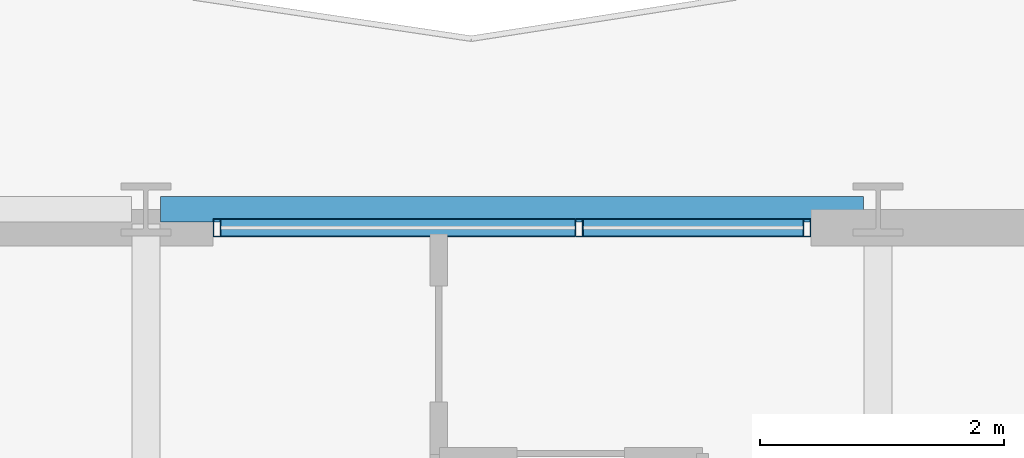
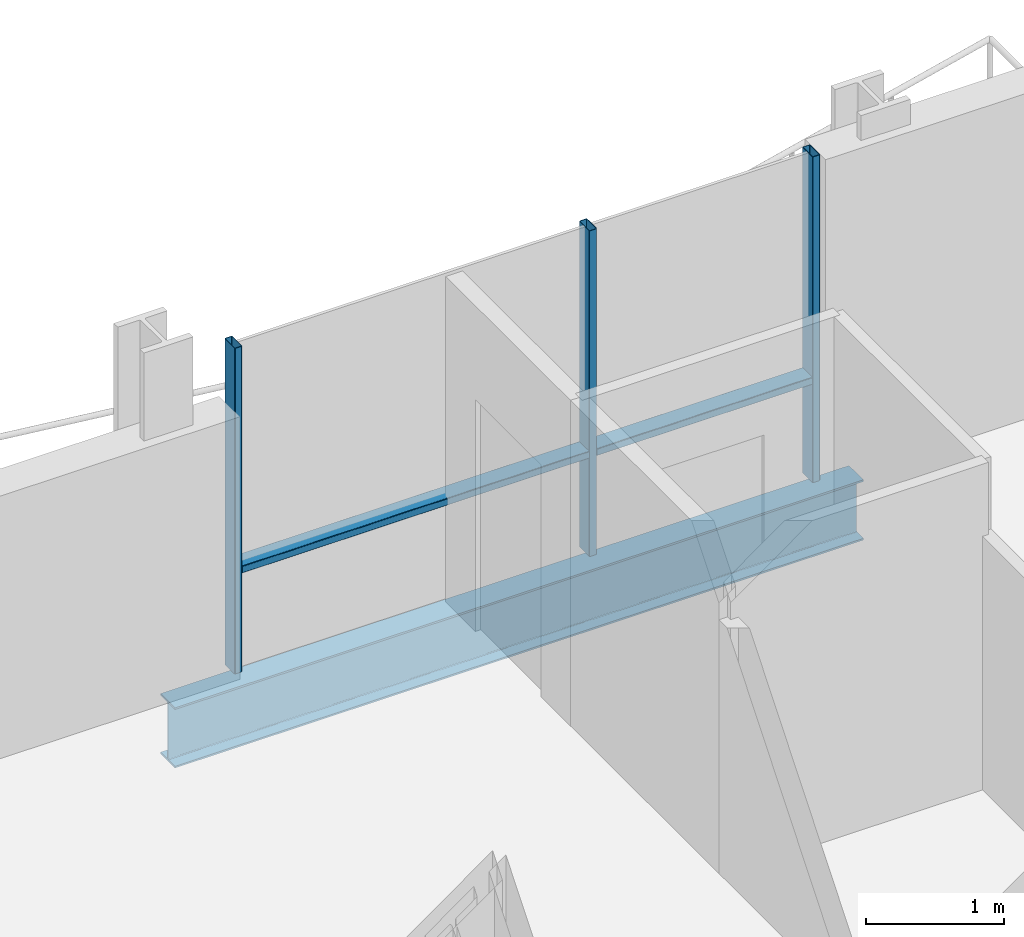
# One storey, part 24 of 40: 5 members, 1 beam, 1 element without a shape of its own.
"""IFC4 building model written with IfcOpenShell, lengths in metres."""

import ifcopenshell
import ifcopenshell.guid

model = None  # the IFC model being written
_history = None  # IfcOwnerHistory: only IFC2X3 demands one
_inside = {}  # id of a spatial element -> (the spatial element, [elements in it])
_under = {}  # id of a project, library or spatial element -> (it, [spatial elements below it])
_declared = {}  # id of a project -> (the project, [libraries it declares])
_typed = {}  # id of a type object -> (the type object, [elements of that type])
_made_of = {}  # id of a material, layer set ... -> (it, [elements and type objects made of it])


def new_model(schema):
    """Start an empty IFC model of exactly this schema.

    Asked for "IFC4X3", IfcOpenShell would pick the latest addendum, in which some entities
    have other attributes; the version numbers below select the first issue.
    IFC2X3 requires an IfcOwnerHistory on every rooted entity: one is made here for all.
    """
    global model, _history
    if schema == "IFC4X3":
        model = ifcopenshell.file(schema_version=(4, 3, 0, 0))
    else:
        model = ifcopenshell.file(schema=schema)
    _inside.clear()
    _under.clear()
    _declared.clear()
    _typed.clear()
    _made_of.clear()
    _history = None
    if model.schema == "IFC2X3":
        org = make("IfcOrganization", Name="unknown")
        user = make(
            "IfcPersonAndOrganization",
            ThePerson=make("IfcPerson", FamilyName="unknown"),
            TheOrganization=org,
        )
        app = make(
            "IfcApplication",
            ApplicationDeveloper=org,
            Version="unknown",
            ApplicationFullName="unknown",
            ApplicationIdentifier="unknown",
        )
        _history = make(
            "IfcOwnerHistory",
            OwningUser=user,
            OwningApplication=app,
            ChangeAction="ADDED",
            CreationDate=0,
        )
    return model


def make(cls, **values):
    """One entity of the class cls with the attributes given. An attribute that is None is left unset."""
    return model.create_entity(
        cls, **{name: value for name, value in values.items() if value is not None}
    )


def rooted(cls, **values):
    """An entity with a GlobalId (a new one), such as an element, a storey or a relation."""
    return make(cls, GlobalId=ifcopenshell.guid.new(), OwnerHistory=_history, **values)


def si_unit(unit_type, name, prefix=None):
    """IfcSIUnit, for example si_unit("LENGTHUNIT", "METRE", prefix="MILLI")."""
    return make("IfcSIUnit", UnitType=unit_type, Prefix=prefix, Name=name)


def assignment(units):
    """IfcUnitAssignment: the units of a project."""
    return None if units is None else make("IfcUnitAssignment", Units=units)


def point(xyz):
    """IfcCartesianPoint."""
    return None if xyz is None else make("IfcCartesianPoint", Coordinates=xyz)


def direction(xyz):
    """IfcDirection."""
    return None if xyz is None else make("IfcDirection", DirectionRatios=xyz)


def frame(location, z_axis=None, x_axis=None):
    """IfcAxis2Placement3D, a coordinate frame: its origin and axes. An axis left out is left unset."""
    return make(
        "IfcAxis2Placement3D",
        Location=point(location),
        Axis=direction(z_axis),
        RefDirection=direction(x_axis),
    )


def frame_2d(location, x_axis=None):
    """IfcAxis2Placement2D, a coordinate frame in the plane: its origin and x axis."""
    return make(
        "IfcAxis2Placement2D", Location=point(location), RefDirection=direction(x_axis)
    )


def origin():
    """The frame at (0, 0, 0) with its axes left unset."""
    return frame((0.0, 0.0, 0.0))


def origin_2d():
    """The frame at (0, 0) in the plane with its x axis left unset."""
    return frame_2d((0.0, 0.0))


def place(relative_to, where):
    """IfcLocalPlacement: puts the frame where relative to a parent placement (None: the world)."""
    return make(
        "IfcLocalPlacement", PlacementRelTo=relative_to, RelativePlacement=where
    )


def context(
    kind, dimensions, precision=None, world=None, true_north=None, identifier=None
):
    """IfcGeometricRepresentationContext, for example the 3D "Model" context."""
    return make(
        "IfcGeometricRepresentationContext",
        ContextIdentifier=identifier,
        ContextType=kind,
        CoordinateSpaceDimension=dimensions,
        Precision=precision,
        WorldCoordinateSystem=world,
        TrueNorth=true_north,
    )


def subcontext(parent, identifier, kind, view, scale=None):
    """IfcGeometricRepresentationSubContext, for example "Body" below "Model"."""
    return make(
        "IfcGeometricRepresentationSubContext",
        ContextIdentifier=identifier,
        ContextType=kind,
        ParentContext=parent,
        TargetScale=scale,
        TargetView=view,
    )


def project(units=None, contexts=None):
    """IfcProject with its units and contexts."""
    return rooted(
        "IfcProject",
        Name="project",
        RepresentationContexts=contexts,
        UnitsInContext=assignment(units),
    )


def spatial(cls, under=None, at=None, **own):
    """A site, building, storey or space (cls), placed at a placement, below another one or the project."""
    s = rooted(cls, ObjectPlacement=at, **own)
    if under is not None:
        _under.setdefault(under.id(), (under, []))[1].append(s)
    return s


def profile(cls, at=None, kind="AREA", **sizes):
    """A parametric profile (cls). Its sizes go by their IFC names, for example OverallWidth=200.0."""
    return make(cls, ProfileType=kind, Position=at, **sizes)


def hollow_rectangle(**sizes):
    """IfcRectangleHollowProfileDef."""
    return profile("IfcRectangleHollowProfileDef", **sizes)


def i_section(**sizes):
    """IfcIShapeProfileDef."""
    return profile("IfcIShapeProfileDef", **sizes)


def extrude(swept, where, along, depth):
    """IfcExtrudedAreaSolid: the profile swept, set in the frame where, extruded along a direction by depth."""
    return make(
        "IfcExtrudedAreaSolid",
        SweptArea=swept,
        Position=where,
        ExtrudedDirection=direction(along),
        Depth=depth,
    )


def shape(context_of_items, identifier, shape_type, items):
    """IfcShapeRepresentation: the items that make up one representation, for example the "Body"."""
    return make(
        "IfcShapeRepresentation",
        ContextOfItems=context_of_items,
        RepresentationIdentifier=identifier,
        RepresentationType=shape_type,
        Items=items,
    )


def material(Name=None, Category=None):
    """IfcMaterial."""
    return make("IfcMaterial", Name=Name, Category=Category)


def layer(
    of_material, thickness, ventilated=None, Name=None, Category=None, Priority=None
):
    """IfcMaterialLayer: one layer of a wall or slab, of a material (None: an air gap)."""
    return make(
        "IfcMaterialLayer",
        Material=of_material,
        LayerThickness=thickness,
        IsVentilated=ventilated,
        Name=Name,
        Category=Category,
        Priority=Priority,
    )


def layer_set(layers, Name=None):
    """IfcMaterialLayerSet."""
    return make("IfcMaterialLayerSet", MaterialLayers=layers, LayerSetName=Name)


def material_profile(
    of_material, cross_section, Name=None, Category=None, Priority=None
):
    """IfcMaterialProfile: a cross section and its material."""
    return make(
        "IfcMaterialProfile",
        Name=Name,
        Material=of_material,
        Profile=cross_section,
        Priority=Priority,
        Category=Category,
    )


def profile_set(profiles, Name=None, composite=None):
    """IfcMaterialProfileSet."""
    return make(
        "IfcMaterialProfileSet",
        Name=Name,
        MaterialProfiles=profiles,
        CompositeProfile=composite,
    )


def made_of(thing, what):
    """Note that an element or type object is made of a material, layer set ...; save() writes the relation."""
    if what is not None:
        _made_of.setdefault(what.id(), (what, []))[1].append(thing)
    return thing


def type_object(cls, material=None, **own):
    """A type object (cls), such as IfcWallType, which elements share."""
    return made_of(rooted(cls, **own), material)


def element(
    cls,
    number,
    at=None,
    inside=None,
    cuts=None,
    type_object=None,
    material=None,
    context=None,
    identifier="Body",
    shape_type=None,
    held_by="IfcProductDefinitionShape",
    body=None,
    shapes=None,
    **own,
):
    """One element of the class cls, such as IfcWall. Its Tag is "e" and its number.

    at: its placement. inside: the storey or other place that contains it. cuts: it is an
    opening in that element (IfcRelVoidsElement). A single representation is given by context,
    identifier, shape_type and body (its items); several are given by shapes. held_by: the class
    of the entity that holds the representations. save() writes the other relations.
    """
    e = rooted(cls, Tag="e%d" % number, ObjectPlacement=at, **own)
    if body is not None:
        shapes = [shape(context, identifier, shape_type, body)]
    if shapes is not None:
        e.Representation = make(held_by, Representations=shapes)
    if inside is not None:
        _inside.setdefault(inside.id(), (inside, []))[1].append(e)
    if cuts is not None:
        rooted(
            "IfcRelVoidsElement", RelatingBuildingElement=cuts, RelatedOpeningElement=e
        )
    if type_object is not None:
        _typed.setdefault(type_object.id(), (type_object, []))[1].append(e)
    return made_of(e, material)


def aggregate(whole, parts):
    """IfcRelAggregates: a whole, such as a stair, and the parts it consists of."""
    return rooted("IfcRelAggregates", RelatingObject=whole, RelatedObjects=parts)


def save(model, path):
    """Write the relations noted so far, then the file.

    IfcRelAggregates (storeys below a building ...), IfcRelContainedInSpatialStructure (elements
    in a storey), IfcRelDefinesByType, IfcRelAssociatesMaterial and IfcRelDeclares: one each for
    every whole, place, type object, material and project.
    """
    for whole, parts in _under.values():
        aggregate(whole, parts)
    for where, things in _inside.values():
        rooted(
            "IfcRelContainedInSpatialStructure",
            RelatedElements=things,
            RelatingStructure=where,
        )
    for kind, things in _typed.values():
        rooted("IfcRelDefinesByType", RelatedObjects=things, RelatingType=kind)
    for what, things in _made_of.values():
        rooted("IfcRelAssociatesMaterial", RelatedObjects=things, RelatingMaterial=what)
    for by, libraries in _declared.values():
        rooted("IfcRelDeclares", RelatingContext=by, RelatedDefinitions=libraries)
    model.write(path)


model = new_model("IFC4")

# Units and contexts
model_context = context("Model", 3, precision=1e-05, world=origin(), true_north=direction((0.0, 1.0)))
body_context = subcontext(model_context, "Body", "Model", "MODEL_VIEW")
ifc_project = project(units=[si_unit("LENGTHUNIT", "METRE"), si_unit("AREAUNIT", "SQUARE_METRE"), si_unit("VOLUMEUNIT", "CUBIC_METRE"), si_unit("PLANEANGLEUNIT", "RADIAN"), si_unit("MASSUNIT", "GRAM", prefix="KILO")], contexts=[model_context])

# Site, building, storey
site_placement = place(None, origin())
site = spatial("IfcSite", under=ifc_project, at=site_placement, CompositionType="ELEMENT")
building_placement = place(site_placement, origin())
building = spatial("IfcBuilding", under=site, at=building_placement, Name="Brevholm Reach", CompositionType="ELEMENT")
storey_placement = place(building_placement, frame((0.0, 0.0, 119.0)))
storey = spatial("IfcBuildingStorey", under=building, at=storey_placement, Name="L35", CompositionType="ELEMENT", Elevation=119.0)

# Beam
ifc_material_1 = material(Name="Structural Steel S355J2", Category="steel")
ifc_material_profile_1 = material_profile(ifc_material_1, i_section(OverallWidth=0.209228515625, OverallDepth=0.533203125, WebThickness=0.010009765625, FlangeThickness=0.015625, FilletRadius=0.0126953125, at=origin_2d()), Name="UKB 533x210x92")
ifc_profile_set_1 = profile_set([ifc_material_profile_1], Name="Structural Steel S355J2")
beam_type = type_object("IfcBeamType", Name="BM-SP533", PredefinedType="SPANDREL", material=ifc_profile_set_1)
beam_placement = place(storey_placement, frame((48.1201171875, 31.0, -0.486572265625), z_axis=(1.0, 0.0, 0.0), x_axis=(0.0, 1.0, 0.0)))
element("IfcBeam", 1, at=beam_placement, inside=storey, type_object=beam_type, Name="L35 SP-02 Framing Beam", PredefinedType="SPANDREL", context=body_context, shape_type="SweptSolid", body=[
    extrude(i_section(OverallWidth=0.209228515625, OverallDepth=0.533203125, WebThickness=0.010009765625, FlangeThickness=0.015625, FilletRadius=0.0126953125, at=origin_2d()), origin(), (0.0, 0.0, 1.0), 5.759765625),
])

# Curtain wall, members
ifc_material_2 = material(Name="Dark Anodised Aluminium 6063-T6 and Solar-Control Glass", Category="aluminium")
ifc_layer = layer(ifc_material_2, 0.14990234375)
ifc_layer_set = layer_set([ifc_layer], Name="Dark Anodised Aluminium 6063-T6 and Solar-Control Glass")
curtain_wall_type = type_object("IfcCurtainWallType", Name="CW-01", PredefinedType="NOTDEFINED", material=ifc_layer_set)
curtain_wall_placement = place(storey_placement, origin())
curtain_wall = element("IfcCurtainWall", 2, at=curtain_wall_placement, inside=storey, type_object=curtain_wall_type, Name="L35 Curtain Wall CW-01", PredefinedType="NOTDEFINED")
ifc_material_3 = material(Name="Dark Anodised Aluminium 6063-T6", Category="aluminium")
ifc_material_profile_2 = material_profile(ifc_material_3, hollow_rectangle(XDim=0.06494140625, YDim=0.14990234375, WallThickness=0.0048828125, InnerFilletRadius=0.0048828125, OuterFilletRadius=0.010009765625, at=origin_2d()), Name="RHS 150x65x5")
ifc_profile_set_2 = profile_set([ifc_material_profile_2], Name="Dark Anodised Aluminium 6063-T6")
member_type_1 = type_object("IfcMemberType", Name="CWM-150", PredefinedType="MULLION", material=ifc_profile_set_2)
member_1_placement = place(storey_placement, frame((48.58251953125, 30.85009765625, 0.0), z_axis=(0.0, 0.0, 1.0), x_axis=(1.0, 0.0, 0.0)))
member_1 = element("IfcMember", 3, at=member_1_placement, type_object=member_type_1, Name="CM-150 Mullion 1", PredefinedType="MULLION", context=body_context, shape_type="SweptSolid", body=[
    extrude(hollow_rectangle(XDim=0.06494140625, YDim=0.14990234375, WallThickness=0.0048828125, InnerFilletRadius=0.0048828125, OuterFilletRadius=0.010009765625, at=origin_2d()), origin(), (0.0, 0.0, 1.0), 2.8798828125),
])
member_2_placement = place(storey_placement, frame((51.550048828125, 30.85009765625, 0.0), z_axis=(0.0, 0.0, 1.0), x_axis=(1.0, 0.0, 0.0)))
member_2 = element("IfcMember", 4, at=member_2_placement, type_object=member_type_1, Name="CM-150 Mullion 2", PredefinedType="MULLION", context=body_context, shape_type="SweptSolid", body=[
    extrude(hollow_rectangle(XDim=0.06494140625, YDim=0.14990234375, WallThickness=0.0048828125, InnerFilletRadius=0.0048828125, OuterFilletRadius=0.010009765625, at=origin_2d()), origin(), (0.0, 0.0, 1.0), 2.8798828125),
])
member_3_placement = place(storey_placement, frame((53.41748046875, 30.85009765625, 0.0), z_axis=(0.0, 0.0, 1.0), x_axis=(1.0, 0.0, 0.0)))
member_3 = element("IfcMember", 5, at=member_3_placement, type_object=member_type_1, Name="CM-150 Mullion 3", PredefinedType="MULLION", context=body_context, shape_type="SweptSolid", body=[
    extrude(hollow_rectangle(XDim=0.06494140625, YDim=0.14990234375, WallThickness=0.0048828125, InnerFilletRadius=0.0048828125, OuterFilletRadius=0.010009765625, at=origin_2d()), origin(), (0.0, 0.0, 1.0), 2.8798828125),
])
ifc_material_4 = material(Name="Dark Anodised Aluminium 6063-T6", Category="aluminium")
ifc_material_profile_3 = material_profile(ifc_material_4, hollow_rectangle(XDim=0.06494140625, YDim=0.14990234375, WallThickness=0.0048828125, InnerFilletRadius=0.0048828125, OuterFilletRadius=0.010009765625, at=origin_2d()), Name="RHS 150x65x5")
ifc_profile_set_3 = profile_set([ifc_material_profile_3], Name="Dark Anodised Aluminium 6063-T6")
member_type_2 = type_object("IfcMemberType", Name="CWT-150", PredefinedType="NOTDEFINED", material=ifc_profile_set_3)
member_4_placement = place(storey_placement, frame((48.614990234375, 30.85009765625, 0.89990234375), z_axis=(1.0, 0.0, 0.0), x_axis=(0.0, 0.0, 1.0)))
member_4 = element("IfcMember", 6, at=member_4_placement, type_object=member_type_2, Name="CT-150 Transom 1.1", ObjectType="TRANSOM", PredefinedType="USERDEFINED", context=body_context, shape_type="SweptSolid", body=[
    extrude(hollow_rectangle(XDim=0.06494140625, YDim=0.14990234375, WallThickness=0.0048828125, InnerFilletRadius=0.0048828125, OuterFilletRadius=0.010009765625, at=origin_2d()), origin(), (0.0, 0.0, 1.0), 2.902587890625),
])
member_5_placement = place(storey_placement, frame((51.58251953125, 30.85009765625, 0.89990234375), z_axis=(1.0, 0.0, 0.0), x_axis=(0.0, 0.0, 1.0)))
member_5 = element("IfcMember", 7, at=member_5_placement, type_object=member_type_2, Name="CT-150 Transom 2.1", ObjectType="TRANSOM", PredefinedType="USERDEFINED", context=body_context, shape_type="SweptSolid", body=[
    extrude(hollow_rectangle(XDim=0.06494140625, YDim=0.14990234375, WallThickness=0.0048828125, InnerFilletRadius=0.0048828125, OuterFilletRadius=0.010009765625, at=origin_2d()), origin(), (0.0, 0.0, 1.0), 1.802490234375),
])
aggregate(curtain_wall, [member_1, member_2, member_3, member_4, member_5])

save(model, "model.ifc")
